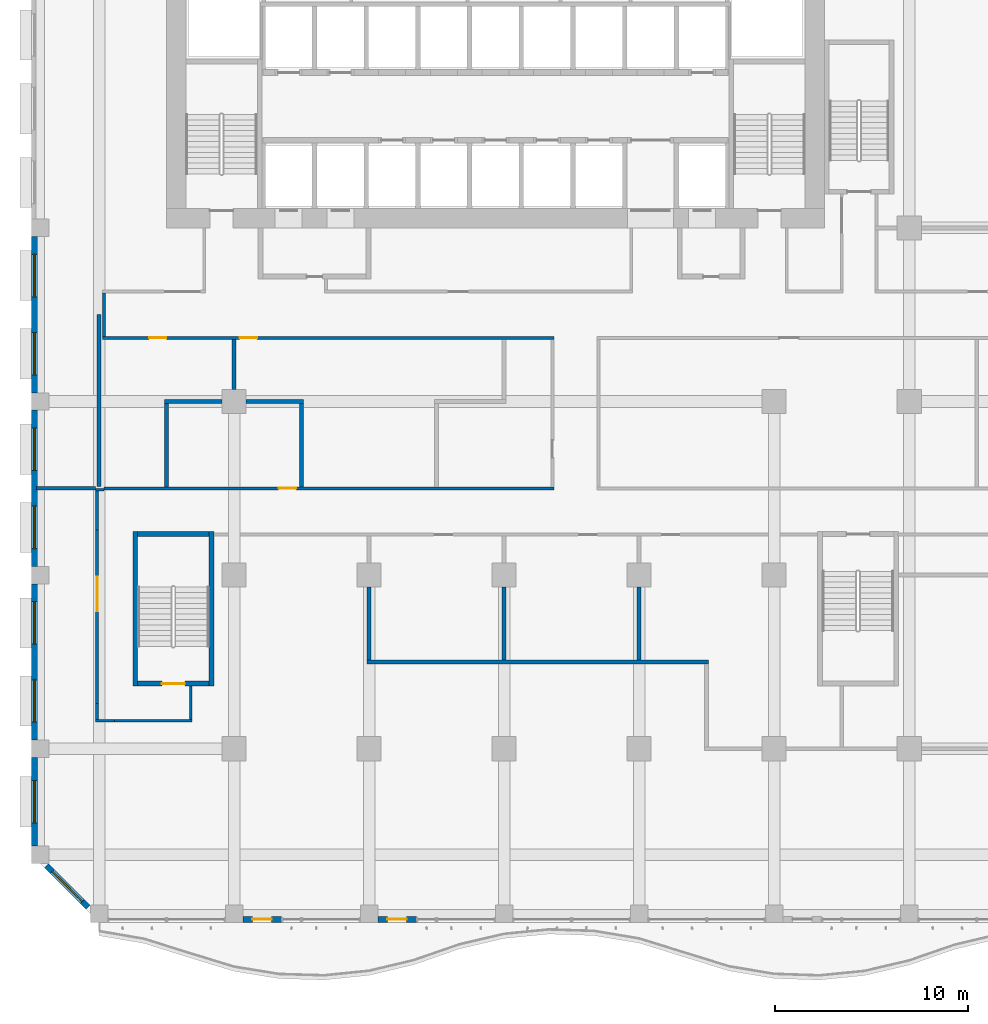
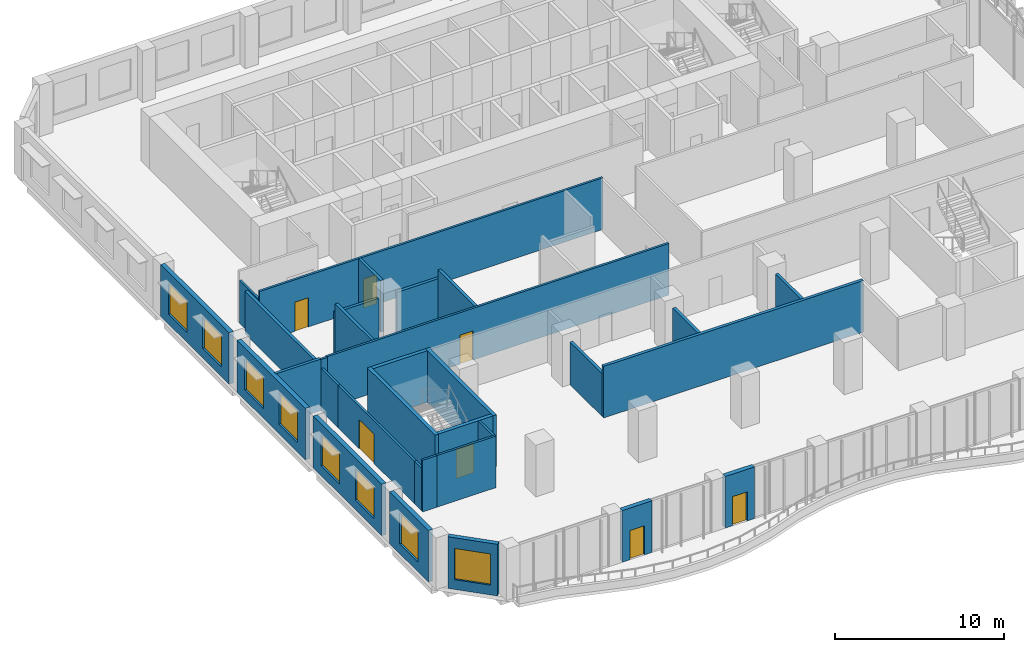
# One storey, part 11 of 27: 32 walls, 8 windows, 7 doors, 15 openings.
"""IFC4 building model written with IfcOpenShell, lengths in metres."""

from ifc_helpers import new_model, si_unit, direction, frame, frame_2d, origin, place, context, subcontext, project, spatial, rectangle, extrude, source, transform, mapped, material, layer, layer_set, type_object, element, fill, save


model = new_model("IFC4")

# Units and contexts
model_context = context("Model", 3, precision=1e-05, world=origin(), true_north=direction((0.0, 1.0)))
body_context = subcontext(model_context, "Body", "Model", "MODEL_VIEW")
ifc_project = project(units=[si_unit("LENGTHUNIT", "METRE"), si_unit("AREAUNIT", "SQUARE_METRE"), si_unit("VOLUMEUNIT", "CUBIC_METRE"), si_unit("PLANEANGLEUNIT", "RADIAN"), si_unit("MASSUNIT", "GRAM", prefix="KILO")], contexts=[model_context])

# Site, building, storey
site_placement = place(None, origin())
site = spatial("IfcSite", under=ifc_project, at=site_placement, CompositionType="ELEMENT")
building_placement = place(site_placement, origin())
building = spatial("IfcBuilding", under=site, at=building_placement, Name="Kilnfold Tower and Market Hall", CompositionType="ELEMENT")
storey_placement = place(building_placement, frame((0.0, 0.0, 71.199951171875)))
storey = spatial("IfcBuildingStorey", under=building, at=storey_placement, Name="L16", CompositionType="ELEMENT", Elevation=71.199951171875)

# Walls
ifc_material_1 = material(Name="Gypsum board on steel studs", Category="steel")
ifc_layer_1 = layer(ifc_material_1, 0.14990234375)
ifc_layer_set_1 = layer_set([ifc_layer_1], Name="Gypsum board on steel studs")
wall_type_1 = type_object("IfcWallType", Name="WALL CORRIDOR 150", PredefinedType="PARTITIONING", material=ifc_layer_set_1)
wall_1_placement = place(storey_placement, frame((-19.25, -5.572998046875, 0.0), z_axis=(0.0, 0.0, 1.0), x_axis=(-1.0, 0.0, 0.0)))
element("IfcWall", 1, at=wall_1_placement, inside=storey, type_object=wall_type_1, Name="Partition LY12.1", PredefinedType="PARTITIONING", context=body_context, shape_type="SweptSolid", body=[
    extrude(rectangle(XDim=0.427001953125, YDim=0.14990234375, at=frame_2d((0.21337890625, 0.0))), origin(), (0.0, 0.0, 1.0), 3.719970703125),
])
wall_2_placement = place(storey_placement, frame((-14.75, -17.47509765625, 0.0), z_axis=(0.0, 0.0, 1.0), x_axis=(0.0, 1.0, 0.0)))
element("IfcWall", 2, at=wall_2_placement, inside=storey, type_object=wall_type_1, Name="Partition LY12.3", PredefinedType="PARTITIONING", context=body_context, shape_type="SweptSolid", body=[
    extrude(rectangle(XDim=1.72509765625, YDim=0.14990234375, at=frame_2d((0.862548828125, 0.0))), origin(), (0.0, 0.0, 1.0), 3.719970703125),
])
wall_3_placement = place(storey_placement, frame((-18.697998046875, -17.550048828125, 0.0), z_axis=(0.0, 0.0, 1.0), x_axis=(1.0, 0.0, 0.0)))
element("IfcWall", 3, at=wall_3_placement, inside=storey, type_object=wall_type_1, Name="Partition LY12.4", PredefinedType="PARTITIONING", context=body_context, shape_type="SweptSolid", body=[
    extrude(rectangle(XDim=4.02294921875, YDim=0.14990234375, at=frame_2d((2.011474609375, 0.0))), origin(), (0.0, 0.0, 1.0), 3.719970703125),
])
wall_4_placement = place(storey_placement, frame((-19.677001953125, -17.552001953125, 0.0), z_axis=(0.0, 0.0, 1.0), x_axis=(1.0, 0.0, 0.0)))
element("IfcWall", 4, at=wall_4_placement, inside=storey, type_object=wall_type_1, Name="Partition LY12.5", PredefinedType="PARTITIONING", context=body_context, shape_type="SweptSolid", body=[
    extrude(rectangle(XDim=0.97900390625, YDim=0.14990234375, at=frame_2d((0.489501953125, 0.0))), origin(), (0.0, 0.0, 1.0), 3.719970703125),
])
wall_5_placement = place(storey_placement, frame((-19.60205078125, -17.47705078125, 0.0), z_axis=(0.0, 0.0, 1.0), x_axis=(0.0, 1.0, 0.0)))
element("IfcWall", 5, at=wall_5_placement, inside=storey, type_object=wall_type_1, Name="Partition LY12.6", PredefinedType="PARTITIONING", context=body_context, shape_type="SweptSolid", body=[
    extrude(rectangle(XDim=0.8291015625, YDim=0.14990234375, at=frame_2d((0.41455078125, 0.0))), origin(), (0.0, 0.0, 1.0), 3.070068359375),
])

# Wall, opening, door
wall_6_placement = place(storey_placement, frame((-19.60009765625, -7.652099609375, 0.0), z_axis=(0.0, 0.0, 1.0), x_axis=(0.0, -1.0, 0.0)))
wall_6 = element("IfcWall", 6, at=wall_6_placement, inside=storey, type_object=wall_type_1, Name="Partition LY12.7", PredefinedType="PARTITIONING", context=body_context, shape_type="SweptSolid", body=[
    extrude(rectangle(XDim=8.995849609375, YDim=0.14990234375, at=frame_2d((4.498046875, 0.0))), origin(), (0.0, 0.0, 1.0), 3.070068359375),
])
opening_1_placement = place(wall_6_placement, frame((2.431884765625, 0.0, 0.0)))
opening_1 = element("IfcOpeningElement", 7, at=opening_1_placement, cuts=wall_6, Name="Opening D5", PredefinedType="OPENING", context=body_context, shape_type="SweptSolid", body=[
    extrude(rectangle(XDim=1.800048828125, YDim=2.10009765625, at=frame_2d((0.89990234375, 1.050048828125))), frame((0.0, 0.0849609375, 0.0), z_axis=(0.0, -1.0, 0.0), x_axis=(1.0, 0.0, 0.0)), (0.0, 0.0, 1.0), 0.169921875),
])
ifc_material_2 = material(Name="Timber veneer door leaf in steel frame", Category="steel")
door_type_1 = type_object("IfcDoorType", Name="DOOR DOUBLE 1800 X2100", OperationType="NOTDEFINED", PredefinedType="DOOR", material=ifc_material_2)
door_1_placement = place(opening_1_placement, origin())
door_1 = element("IfcDoor", 8, at=door_1_placement, inside=storey, type_object=door_type_1, Name="Door D5", OperationType="DOUBLE_DOOR_SINGLE_SWING", OverallHeight=2.10009765625, OverallWidth=1.800048828125, PredefinedType="DOOR", context=body_context, shape_type="SweptSolid", body=[
    extrude(rectangle(XDim=1.800048828125, YDim=2.10009765625, at=frame_2d((0.89990234375, 1.050048828125))), frame((0.0, 0.02490234375, 0.0), z_axis=(0.0, -1.0, 0.0), x_axis=(1.0, 0.0, 0.0)), (0.0, 0.0, 1.0), 0.050048828125),
])
fill(opening_1, door_1)

# Wall
wall_7_placement = place(storey_placement, frame((-19.60205078125, -7.652099609375, 0.0), z_axis=(0.0, 0.0, 1.0), x_axis=(0.0, 1.0, 0.0)))
element("IfcWall", 9, at=wall_7_placement, inside=storey, type_object=wall_type_1, Name="Partition LY12.8", PredefinedType="PARTITIONING", context=body_context, shape_type="SweptSolid", body=[
    extrude(rectangle(XDim=2.004150390625, YDim=0.14990234375, at=frame_2d((1.001953125, 0.0))), origin(), (0.0, 0.0, 1.0), 3.070068359375),
])

# Wall, opening, door
wall_8_placement = place(storey_placement, frame((-19.25, -5.5, 0.0), z_axis=(0.0, 0.0, 1.0), x_axis=(1.0, 0.0, 0.0)))
wall_8 = element("IfcWall", 10, at=wall_8_placement, inside=storey, type_object=wall_type_1, Name="Partition LY12.9", PredefinedType="PARTITIONING", context=body_context, shape_type="SweptSolid", body=[
    extrude(rectangle(XDim=23.324951171875, YDim=0.14990234375, at=frame_2d((11.66259765625, 0.0))), origin(), (0.0, 0.0, 1.0), 3.719970703125),
])
opening_2_placement = place(wall_8_placement, frame((9.06005859375, 0.0, 0.0)))
opening_2 = element("IfcOpeningElement", 11, at=opening_2_placement, cuts=wall_8, Name="Opening D2", PredefinedType="OPENING", context=body_context, shape_type="SweptSolid", body=[
    extrude(rectangle(XDim=0.89990234375, YDim=2.10009765625, at=frame_2d((0.449951171875, 1.050048828125))), frame((0.0, 0.0849609375, 0.0), z_axis=(0.0, -1.0, 0.0), x_axis=(1.0, 0.0, 0.0)), (0.0, 0.0, 1.0), 0.169921875),
])
ifc_material_3 = material(Name="Timber veneer door leaf in steel frame", Category="steel")
door_type_2 = type_object("IfcDoorType", Name="DOOR ROOM 900 X2100", OperationType="NOTDEFINED", PredefinedType="DOOR", material=ifc_material_3)
door_2_placement = place(opening_2_placement, origin())
door_2 = element("IfcDoor", 12, at=door_2_placement, inside=storey, type_object=door_type_2, Name="Door D2", OperationType="SINGLE_SWING_RIGHT", OverallHeight=2.10009765625, OverallWidth=0.89990234375, PredefinedType="DOOR", context=body_context, shape_type="SweptSolid", body=[
    extrude(rectangle(XDim=0.89990234375, YDim=2.10009765625, at=frame_2d((0.449951171875, 1.050048828125))), frame((0.0, 0.02490234375, 0.0), z_axis=(0.0, -1.0, 0.0), x_axis=(1.0, 0.0, 0.0)), (0.0, 0.0, 1.0), 0.050048828125),
])
fill(opening_2, door_2)

# Wall, openings, doors
wall_9_placement = place(storey_placement, frame((-19.324951171875, 2.300048828125, 0.0), z_axis=(0.0, 0.0, 1.0), x_axis=(1.0, 0.0, 0.0)))
wall_9 = element("IfcWall", 13, at=wall_9_placement, inside=storey, type_object=wall_type_1, Name="Partition LY12.10", PredefinedType="PARTITIONING", context=body_context, shape_type="SweptSolid", body=[
    extrude(rectangle(XDim=23.39990234375, YDim=0.14990234375, at=frame_2d((11.699951171875, 0.0))), origin(), (0.0, 0.0, 1.0), 3.719970703125),
])
opening_3_placement = place(wall_9_placement, frame((2.4140625, 0.0, 0.0)))
opening_3 = element("IfcOpeningElement", 14, at=opening_3_placement, cuts=wall_9, Name="Opening D2", PredefinedType="OPENING", context=body_context, shape_type="SweptSolid", body=[
    extrude(rectangle(XDim=0.89990234375, YDim=2.10009765625, at=frame_2d((0.449951171875, 1.050048828125))), frame((0.0, 0.0849609375, 0.0), z_axis=(0.0, -1.0, 0.0), x_axis=(1.0, 0.0, 0.0)), (0.0, 0.0, 1.0), 0.169921875),
])
opening_4_placement = place(wall_9_placement, frame((7.114990234375, 0.0, 0.0)))
opening_4 = element("IfcOpeningElement", 15, at=opening_4_placement, cuts=wall_9, Name="Opening D2", PredefinedType="OPENING", context=body_context, shape_type="SweptSolid", body=[
    extrude(rectangle(XDim=0.89990234375, YDim=2.10009765625, at=frame_2d((0.449951171875, 1.050048828125))), frame((0.0, 0.0849609375, 0.0), z_axis=(0.0, -1.0, 0.0), x_axis=(1.0, 0.0, 0.0)), (0.0, 0.0, 1.0), 0.169921875),
])
door_3_placement = place(opening_3_placement, origin())
door_3 = element("IfcDoor", 16, at=door_3_placement, inside=storey, type_object=door_type_2, Name="Door D2", OperationType="SINGLE_SWING_LEFT", OverallHeight=2.10009765625, OverallWidth=0.89990234375, PredefinedType="DOOR", context=body_context, shape_type="SweptSolid", body=[
    extrude(rectangle(XDim=0.89990234375, YDim=2.10009765625, at=frame_2d((0.449951171875, 1.050048828125))), frame((0.0, 0.02490234375, 0.0), z_axis=(0.0, -1.0, 0.0), x_axis=(1.0, 0.0, 0.0)), (0.0, 0.0, 1.0), 0.050048828125),
])
fill(opening_3, door_3)
door_4_placement = place(opening_4_placement, origin())
door_4 = element("IfcDoor", 17, at=door_4_placement, inside=storey, type_object=door_type_2, Name="Door D2", OperationType="SINGLE_SWING_RIGHT", OverallHeight=2.10009765625, OverallWidth=0.89990234375, PredefinedType="DOOR", context=body_context, shape_type="SweptSolid", body=[
    extrude(rectangle(XDim=0.89990234375, YDim=2.10009765625, at=frame_2d((0.449951171875, 1.050048828125))), frame((0.0, 0.02490234375, 0.0), z_axis=(0.0, -1.0, 0.0), x_axis=(1.0, 0.0, 0.0)), (0.0, 0.0, 1.0), 0.050048828125),
])
fill(opening_4, door_4)

# Walls
wall_10_placement = place(storey_placement, frame((-19.25, 2.375, 0.0), z_axis=(0.0, 0.0, 1.0), x_axis=(0.0, 1.0, 0.0)))
element("IfcWall", 18, at=wall_10_placement, inside=storey, type_object=wall_type_1, Name="Partition LY12.11", PredefinedType="PARTITIONING", context=body_context, shape_type="SweptSolid", body=[
    extrude(rectangle(XDim=2.25, YDim=0.14990234375, at=frame_2d((1.125, 0.0))), origin(), (0.0, 0.0, 1.0), 3.070068359375),
])
ifc_material_4 = material(Name="Gypsum board on steel studs", Category="steel")
ifc_layer_2 = layer(ifc_material_4, 0.199951171875)
ifc_layer_set_2 = layer_set([ifc_layer_2], Name="Gypsum board on steel studs")
wall_type_2 = type_object("IfcWallType", Name="WALL PARTY 200", PredefinedType="PARTITIONING", material=ifc_layer_set_2)
wall_11_placement = place(storey_placement, frame((-19.677001953125, -5.5, 0.0), z_axis=(0.0, 0.0, 1.0), x_axis=(-1.0, 0.0, 0.0)))
element("IfcWall", 19, at=wall_11_placement, inside=storey, type_object=wall_type_2, Name="Partition LY12.30", PredefinedType="PARTITIONING", context=body_context, shape_type="SweptSolid", body=[
    extrude(rectangle(XDim=3.072998046875, YDim=0.199951171875, at=frame_2d((1.53662109375, 0.0))), origin(), (0.0, 0.0, 1.0), 3.719970703125),
])
wall_12_placement = place(storey_placement, frame((-5.5, -14.39990234375, 0.0), z_axis=(0.0, 0.0, 1.0), x_axis=(0.0, 1.0, 0.0)))
element("IfcWall", 20, at=wall_12_placement, inside=storey, type_object=wall_type_2, Name="Partition LY12.32", PredefinedType="PARTITIONING", context=body_context, shape_type="SweptSolid", body=[
    extrude(rectangle(XDim=3.77490234375, YDim=0.199951171875, at=frame_2d((1.887451171875, 0.0))), origin(), (0.0, 0.0, 1.0), 3.070068359375),
])
wall_13_placement = place(storey_placement, frame((-5.60009765625, -14.5, 0.0), z_axis=(0.0, 0.0, 1.0), x_axis=(1.0, 0.0, 0.0)))
element("IfcWall", 21, at=wall_13_placement, inside=storey, type_object=wall_type_2, Name="Partition LY12.33", PredefinedType="PARTITIONING", context=body_context, shape_type="SweptSolid", body=[
    extrude(rectangle(XDim=17.7001953125, YDim=0.199951171875, at=frame_2d((8.85009765625, 0.0))), origin(), (0.0, 0.0, 1.0), 3.719970703125),
])
wall_14_placement = place(storey_placement, frame((-19.5, 3.5, 0.0), z_axis=(0.0, 0.0, 1.0), x_axis=(0.0, -1.0, 0.0)))
element("IfcWall", 22, at=wall_14_placement, inside=storey, type_object=wall_type_2, Name="Partition LY12.38", PredefinedType="PARTITIONING", context=body_context, shape_type="SweptSolid", body=[
    extrude(rectangle(XDim=8.89990234375, YDim=0.199951171875, at=frame_2d((4.449951171875, 0.0))), origin(), (0.0, 0.0, 1.0), 3.070068359375),
])
wall_15_placement = place(storey_placement, frame((-16.10009765625, -1.0, 0.0), z_axis=(0.0, 0.0, 1.0), x_axis=(1.0, 0.0, 0.0)))
element("IfcWall", 23, at=wall_15_placement, inside=storey, type_object=wall_type_2, Name="Partition LY12.39", PredefinedType="PARTITIONING", context=body_context, shape_type="SweptSolid", body=[
    extrude(rectangle(XDim=2.97509765625, YDim=0.199951171875, at=frame_2d((1.487548828125, 0.0))), origin(), (0.0, 0.0, 1.0), 3.070068359375),
])
wall_16_placement = place(storey_placement, frame((-16.0, -5.424072265625, 0.0), z_axis=(0.0, 0.0, 1.0), x_axis=(0.0, 1.0, 0.0)))
element("IfcWall", 24, at=wall_16_placement, inside=storey, type_object=wall_type_2, Name="Partition LY12.40", PredefinedType="PARTITIONING", context=body_context, shape_type="SweptSolid", body=[
    extrude(rectangle(XDim=4.323974609375, YDim=0.199951171875, at=frame_2d((2.162109375, 0.0))), origin(), (0.0, 0.0, 1.0), 3.719970703125),
])
wall_17_placement = place(storey_placement, frame((-12.5, -0.375, 0.0), z_axis=(0.0, 0.0, 1.0), x_axis=(0.0, 1.0, 0.0)))
element("IfcWall", 25, at=wall_17_placement, inside=storey, type_object=wall_type_2, Name="Partition LY12.41", PredefinedType="PARTITIONING", context=body_context, shape_type="SweptSolid", body=[
    extrude(rectangle(XDim=2.59912109375, YDim=0.199951171875, at=frame_2d((1.299560546875, 0.0))), origin(), (0.0, 0.0, 1.0), 3.719970703125),
])
wall_18_placement = place(storey_placement, frame((-9.0, -5.424072265625, 0.0), z_axis=(0.0, 0.0, 1.0), x_axis=(0.0, 1.0, 0.0)))
element("IfcWall", 26, at=wall_18_placement, inside=storey, type_object=wall_type_2, Name="Partition LY12.44", PredefinedType="PARTITIONING", context=body_context, shape_type="SweptSolid", body=[
    extrude(rectangle(XDim=4.323974609375, YDim=0.199951171875, at=frame_2d((2.162109375, 0.0))), origin(), (0.0, 0.0, 1.0), 3.719970703125),
])
wall_19_placement = place(storey_placement, frame((-11.875, -1.0, 0.0), z_axis=(0.0, 0.0, 1.0), x_axis=(1.0, 0.0, 0.0)))
element("IfcWall", 27, at=wall_19_placement, inside=storey, type_object=wall_type_2, Name="Partition LY12.45", PredefinedType="PARTITIONING", context=body_context, shape_type="SweptSolid", body=[
    extrude(rectangle(XDim=2.97509765625, YDim=0.199951171875, at=frame_2d((1.487548828125, 0.0))), origin(), (0.0, 0.0, 1.0), 3.070068359375),
])
for number, where, z_axis, x_axis, name in (
    (28, (1.5, -14.39990234375, 0.0), (0.0, 0.0, 1.0), (0.0, 1.0, 0.0), "Partition LY12.50"),
    (29, (8.5, -14.39990234375, 0.0), (0.0, 0.0, 1.0), (0.0, 1.0, 0.0), "Partition LY12.52"),
):
    element("IfcWall", number, at=place(storey_placement, frame(where, z_axis=z_axis, x_axis=x_axis)), inside=storey, type_object=wall_type_2, Name=name, PredefinedType="PARTITIONING", context=body_context, shape_type="SweptSolid", body=[
        extrude(rectangle(XDim=3.77490234375, YDim=0.199951171875, at=frame_2d((1.887451171875, 0.0))), origin(), (0.0, 0.0, 1.0), 3.070068359375),
    ])

# Wall, opening, door
ifc_material_5 = material(Name="Concrete C80", Category="concrete")
ifc_layer_3 = layer(ifc_material_5, 0.25)
ifc_layer_set_3 = layer_set([ifc_layer_3], Name="Concrete C80")
wall_type_3 = type_object("IfcWallType", Name="CORE WALL 250 C80", PredefinedType="SHEAR", material=ifc_layer_set_3)
shared_shape_1 = source(origin(), body_context, "Body", "SweptSolid", [
    extrude(rectangle(XDim=3.699951171875, YDim=0.25, at=frame_2d((1.85009765625, 0.0))), origin(), (0.0, 0.0, 1.0), 3.719970703125),
])
wall_20_placement = place(storey_placement, frame((-17.5, -15.625, 0.0), z_axis=(0.0, 0.0, 1.0), x_axis=(1.0, 0.0, 0.0)))
wall_20 = element("IfcWall", 30, at=wall_20_placement, inside=storey, type_object=wall_type_3, Name="Stair enclosure ST3", PredefinedType="SHEAR", context=body_context, shape_type="MappedRepresentation", body=[
    mapped(shared_shape_1, transform((0.0, 0.0, 0.0))),
])
opening_5_placement = place(wall_20_placement, frame((1.25, 0.0, 0.0)))
opening_5 = element("IfcOpeningElement", 31, at=opening_5_placement, cuts=wall_20, Name="Opening SD1", PredefinedType="OPENING", context=body_context, shape_type="SweptSolid", body=[
    extrude(rectangle(XDim=1.199951171875, YDim=2.10009765625, at=frame_2d((0.60009765625, 1.050048828125))), frame((0.0, 0.135009765625, 0.0), z_axis=(0.0, -1.0, 0.0), x_axis=(1.0, 0.0, 0.0)), (0.0, 0.0, 1.0), 0.27001953125),
])
ifc_material_6 = material(Name="Steel door set with fire-resisting leaf", Category="steel")
door_type_3 = type_object("IfcDoorType", Name="STAIR FLOOR DOOR 1200X2100", OperationType="NOTDEFINED", PredefinedType="DOOR", material=ifc_material_6)
door_5_placement = place(opening_5_placement, origin())
door_5 = element("IfcDoor", 32, at=door_5_placement, inside=storey, type_object=door_type_3, Name="Exit stair ST3 door", OperationType="DOUBLE_DOOR_SINGLE_SWING", OverallHeight=2.10009765625, OverallWidth=1.199951171875, PredefinedType="DOOR", context=body_context, shape_type="SweptSolid", body=[
    extrude(rectangle(XDim=1.199951171875, YDim=2.10009765625, at=frame_2d((0.60009765625, 1.050048828125))), frame((0.0, 0.02490234375, 0.0), z_axis=(0.0, -1.0, 0.0), x_axis=(1.0, 0.0, 0.0)), (0.0, 0.0, 1.0), 0.050048828125),
])
fill(opening_5, door_5)

# Walls
wall_21_placement = place(storey_placement, frame((-17.5, -7.875, 0.0), z_axis=(0.0, 0.0, 1.0), x_axis=(1.0, 0.0, 0.0)))
element("IfcWall", 33, at=wall_21_placement, inside=storey, type_object=wall_type_3, Name="Stair enclosure ST3", PredefinedType="SHEAR", context=body_context, shape_type="MappedRepresentation", body=[
    mapped(shared_shape_1, transform((0.0, 0.0, 0.0))),
])
shared_shape_2 = source(origin(), body_context, "Body", "SweptSolid", [
    extrude(rectangle(XDim=8.0, YDim=0.25, at=frame_2d((4.0, 0.0))), origin(), (0.0, 0.0, 1.0), 3.719970703125),
])
for number, where, z_axis, x_axis, name in (
    (34, (-17.625, -15.75, 0.0), (0.0, 0.0, 1.0), (0.0, 1.0, 0.0), "Stair enclosure ST3"),
    (35, (-13.675048828125, -15.75, 0.0), (0.0, 0.0, 1.0), (0.0, 1.0, 0.0), "Stair enclosure ST3"),
):
    element("IfcWall", number, at=place(storey_placement, frame(where, z_axis=z_axis, x_axis=x_axis)), inside=storey, type_object=wall_type_3, Name=name, PredefinedType="SHEAR", context=body_context, shape_type="MappedRepresentation", body=[
        mapped(shared_shape_2, transform((0.0, 0.0, 0.0))),
    ])

# Wall, opening, door
ifc_material_7 = material(Name="Precast concrete C50/60", Category="concrete")
ifc_layer_4 = layer(ifc_material_7, 0.300048828125)
ifc_layer_set_4 = layer_set([ifc_layer_4], Name="Precast concrete C50/60")
wall_type_4 = type_object("IfcWallType", Name="PRECAST WALL 300", PredefinedType="SOLIDWALL", material=ifc_layer_set_4)
shared_shape_3 = source(origin(), body_context, "Body", "SweptSolid", [
    extrude(rectangle(XDim=2.0, YDim=0.300048828125, at=frame_2d((1.0, 0.0))), origin(), (0.0, 0.0, 1.0), 3.719970703125),
])
wall_22_placement = place(storey_placement, frame((-12.050048828125, -27.85009765625, 0.0), z_axis=(0.0, 0.0, 1.0), x_axis=(1.0, 0.0, 0.0)))
wall_22 = element("IfcWall", 36, at=wall_22_placement, inside=storey, type_object=wall_type_4, Name="External wall L16 S", PredefinedType="SOLIDWALL", context=body_context, shape_type="MappedRepresentation", body=[
    mapped(shared_shape_3, transform((0.0, 0.0, 0.0))),
])
opening_6_placement = place(wall_22_placement, frame((0.5, 0.0, 0.0)))
opening_6 = element("IfcOpeningElement", 37, at=opening_6_placement, cuts=wall_22, Name="Opening BD1", PredefinedType="OPENING", context=body_context, shape_type="SweptSolid", body=[
    extrude(rectangle(XDim=1.0, YDim=2.10009765625, at=frame_2d((0.5, 1.050048828125))), frame((0.0, 0.16015625, 0.0), z_axis=(0.0, -1.0, 0.0), x_axis=(1.0, 0.0, 0.0)), (0.0, 0.0, 1.0), 0.320068359375),
])
ifc_material_8 = material(Name="Aluminium frame and double glazing", Category="aluminium")
door_type_4 = type_object("IfcDoorType", Name="BALCONY DOOR 1000X2100", OperationType="NOTDEFINED", PredefinedType="DOOR", material=ifc_material_8)
door_6_placement = place(opening_6_placement, origin())
door_6 = element("IfcDoor", 38, at=door_6_placement, inside=storey, type_object=door_type_4, Name="Balcony door BD1 L16 S-1", OperationType="SINGLE_SWING_LEFT", OverallHeight=2.10009765625, OverallWidth=1.0, PredefinedType="DOOR", context=body_context, shape_type="SweptSolid", body=[
    extrude(rectangle(XDim=1.0, YDim=2.10009765625, at=frame_2d((0.5, 1.050048828125))), frame((0.0, 0.02490234375, 0.0), z_axis=(0.0, -1.0, 0.0), x_axis=(1.0, 0.0, 0.0)), (0.0, 0.0, 1.0), 0.050048828125),
])
fill(opening_6, door_6)

wall_23_placement = place(storey_placement, frame((-5.050048828125, -27.85009765625, 0.0), z_axis=(0.0, 0.0, 1.0), x_axis=(1.0, 0.0, 0.0)))
wall_23 = element("IfcWall", 39, at=wall_23_placement, inside=storey, type_object=wall_type_4, Name="External wall L16 S", PredefinedType="SOLIDWALL", context=body_context, shape_type="MappedRepresentation", body=[
    mapped(shared_shape_3, transform((0.0, 0.0, 0.0))),
])
opening_7_placement = place(wall_23_placement, frame((0.5, 0.0, 0.0)))
opening_7 = element("IfcOpeningElement", 40, at=opening_7_placement, cuts=wall_23, Name="Opening BD1", PredefinedType="OPENING", context=body_context, shape_type="SweptSolid", body=[
    extrude(rectangle(XDim=1.0, YDim=2.10009765625, at=frame_2d((0.5, 1.050048828125))), frame((0.0, 0.16015625, 0.0), z_axis=(0.0, -1.0, 0.0), x_axis=(1.0, 0.0, 0.0)), (0.0, 0.0, 1.0), 0.320068359375),
])
door_7_placement = place(opening_7_placement, origin())
door_7 = element("IfcDoor", 41, at=door_7_placement, inside=storey, type_object=door_type_4, Name="Balcony door BD1 L16 S-1", OperationType="SINGLE_SWING_LEFT", OverallHeight=2.10009765625, OverallWidth=1.0, PredefinedType="DOOR", context=body_context, shape_type="SweptSolid", body=[
    extrude(rectangle(XDim=1.0, YDim=2.10009765625, at=frame_2d((0.5, 1.050048828125))), frame((0.0, 0.02490234375, 0.0), z_axis=(0.0, -1.0, 0.0), x_axis=(1.0, 0.0, 0.0)), (0.0, 0.0, 1.0), 0.050048828125),
])
fill(opening_7, door_7)

# Wall, openings, windows
shared_shape_4 = source(origin(), body_context, "Body", "SweptSolid", [
    extrude(rectangle(XDim=8.10009765625, YDim=0.300048828125, at=frame_2d((4.050048828125, 0.0))), origin(), (0.0, 0.0, 1.0), 3.719970703125),
])
wall_24_placement = place(storey_placement, frame((-22.85009765625, 7.550048828125, 0.0), z_axis=(0.0, 0.0, 1.0), x_axis=(0.0, -1.0, 0.0)))
wall_24 = element("IfcWall", 42, at=wall_24_placement, inside=storey, type_object=wall_type_4, Name="External wall L16 W", PredefinedType="SOLIDWALL", context=body_context, shape_type="MappedRepresentation", body=[
    mapped(shared_shape_4, transform((0.0, 0.0, 0.0))),
])
opening_8_placement = place(wall_24_placement, frame((0.925048828125, 0.0, 0.699951171875)))
opening_8 = element("IfcOpeningElement", 43, at=opening_8_placement, cuts=wall_24, Name="Opening W1", PredefinedType="OPENING", context=body_context, shape_type="SweptSolid", body=[
    extrude(rectangle(XDim=2.199951171875, YDim=2.25, at=frame_2d((1.10009765625, 1.125))), frame((0.0, 0.16015625, 0.0), z_axis=(0.0, -1.0, 0.0), x_axis=(1.0, 0.0, 0.0)), (0.0, 0.0, 1.0), 0.320068359375),
])
opening_9_placement = place(wall_24_placement, frame((4.97509765625, 0.0, 0.699951171875)))
opening_9 = element("IfcOpeningElement", 44, at=opening_9_placement, cuts=wall_24, Name="Opening W1", PredefinedType="OPENING", context=body_context, shape_type="SweptSolid", body=[
    extrude(rectangle(XDim=2.199951171875, YDim=2.25, at=frame_2d((1.10009765625, 1.125))), frame((0.0, 0.16015625, 0.0), z_axis=(0.0, -1.0, 0.0), x_axis=(1.0, 0.0, 0.0)), (0.0, 0.0, 1.0), 0.320068359375),
])
ifc_material_9 = material(Name="Aluminium frame and double glazing", Category="aluminium")
window_type = type_object("IfcWindowType", Name="WINDOW W1 2200X2250", PartitioningType="SINGLE_PANEL", PredefinedType="WINDOW", material=ifc_material_9)
window_1_placement = place(opening_8_placement, origin())
window_1 = element("IfcWindow", 45, at=window_1_placement, inside=storey, type_object=window_type, Name="Window W1 L16 W-1", OverallHeight=2.25, OverallWidth=2.199951171875, PartitioningType="SINGLE_PANEL", PredefinedType="WINDOW", context=body_context, shape_type="SweptSolid", body=[
    extrude(rectangle(XDim=2.199951171875, YDim=2.25, at=frame_2d((1.10009765625, 1.125))), frame((0.0, 0.030029296875, 0.0), z_axis=(0.0, -1.0, 0.0), x_axis=(1.0, 0.0, 0.0)), (0.0, 0.0, 1.0), 0.06005859375),
])
fill(opening_8, window_1)
window_2_placement = place(opening_9_placement, origin())
window_2 = element("IfcWindow", 46, at=window_2_placement, inside=storey, type_object=window_type, Name="Window W1 L16 W-2", OverallHeight=2.25, OverallWidth=2.199951171875, PartitioningType="SINGLE_PANEL", PredefinedType="WINDOW", context=body_context, shape_type="SweptSolid", body=[
    extrude(rectangle(XDim=2.199951171875, YDim=2.25, at=frame_2d((1.10009765625, 1.125))), frame((0.0, 0.030029296875, 0.0), z_axis=(0.0, -1.0, 0.0), x_axis=(1.0, 0.0, 0.0)), (0.0, 0.0, 1.0), 0.06005859375),
])
fill(opening_9, window_2)

wall_25_placement = place(storey_placement, frame((-22.85009765625, -1.449951171875, 0.0), z_axis=(0.0, 0.0, 1.0), x_axis=(0.0, -1.0, 0.0)))
wall_25 = element("IfcWall", 47, at=wall_25_placement, inside=storey, type_object=wall_type_4, Name="External wall L16 W", PredefinedType="SOLIDWALL", context=body_context, shape_type="MappedRepresentation", body=[
    mapped(shared_shape_4, transform((0.0, 0.0, 0.0))),
])
opening_10_placement = place(wall_25_placement, frame((0.925048828125, 0.0, 0.699951171875)))
opening_10 = element("IfcOpeningElement", 48, at=opening_10_placement, cuts=wall_25, Name="Opening W1", PredefinedType="OPENING", context=body_context, shape_type="SweptSolid", body=[
    extrude(rectangle(XDim=2.199951171875, YDim=2.25, at=frame_2d((1.10009765625, 1.125))), frame((0.0, 0.16015625, 0.0), z_axis=(0.0, -1.0, 0.0), x_axis=(1.0, 0.0, 0.0)), (0.0, 0.0, 1.0), 0.320068359375),
])
opening_11_placement = place(wall_25_placement, frame((4.97509765625, 0.0, 0.699951171875)))
opening_11 = element("IfcOpeningElement", 49, at=opening_11_placement, cuts=wall_25, Name="Opening W1", PredefinedType="OPENING", context=body_context, shape_type="SweptSolid", body=[
    extrude(rectangle(XDim=2.199951171875, YDim=2.25, at=frame_2d((1.10009765625, 1.125))), frame((0.0, 0.16015625, 0.0), z_axis=(0.0, -1.0, 0.0), x_axis=(1.0, 0.0, 0.0)), (0.0, 0.0, 1.0), 0.320068359375),
])
window_3_placement = place(opening_10_placement, origin())
window_3 = element("IfcWindow", 50, at=window_3_placement, inside=storey, type_object=window_type, Name="Window W1 L16 W-1", OverallHeight=2.25, OverallWidth=2.199951171875, PartitioningType="SINGLE_PANEL", PredefinedType="WINDOW", context=body_context, shape_type="SweptSolid", body=[
    extrude(rectangle(XDim=2.199951171875, YDim=2.25, at=frame_2d((1.10009765625, 1.125))), frame((0.0, 0.030029296875, 0.0), z_axis=(0.0, -1.0, 0.0), x_axis=(1.0, 0.0, 0.0)), (0.0, 0.0, 1.0), 0.06005859375),
])
fill(opening_10, window_3)
window_4_placement = place(opening_11_placement, origin())
window_4 = element("IfcWindow", 51, at=window_4_placement, inside=storey, type_object=window_type, Name="Window W1 L16 W-2", OverallHeight=2.25, OverallWidth=2.199951171875, PartitioningType="SINGLE_PANEL", PredefinedType="WINDOW", context=body_context, shape_type="SweptSolid", body=[
    extrude(rectangle(XDim=2.199951171875, YDim=2.25, at=frame_2d((1.10009765625, 1.125))), frame((0.0, 0.030029296875, 0.0), z_axis=(0.0, -1.0, 0.0), x_axis=(1.0, 0.0, 0.0)), (0.0, 0.0, 1.0), 0.06005859375),
])
fill(opening_11, window_4)

wall_26_placement = place(storey_placement, frame((-22.85009765625, -10.449951171875, 0.0), z_axis=(0.0, 0.0, 1.0), x_axis=(0.0, -1.0, 0.0)))
wall_26 = element("IfcWall", 52, at=wall_26_placement, inside=storey, type_object=wall_type_4, Name="External wall L16 W", PredefinedType="SOLIDWALL", context=body_context, shape_type="MappedRepresentation", body=[
    mapped(shared_shape_4, transform((0.0, 0.0, 0.0))),
])
opening_12_placement = place(wall_26_placement, frame((0.925048828125, 0.0, 0.699951171875)))
opening_12 = element("IfcOpeningElement", 53, at=opening_12_placement, cuts=wall_26, Name="Opening W1", PredefinedType="OPENING", context=body_context, shape_type="SweptSolid", body=[
    extrude(rectangle(XDim=2.199951171875, YDim=2.25, at=frame_2d((1.10009765625, 1.125))), frame((0.0, 0.16015625, 0.0), z_axis=(0.0, -1.0, 0.0), x_axis=(1.0, 0.0, 0.0)), (0.0, 0.0, 1.0), 0.320068359375),
])
opening_13_placement = place(wall_26_placement, frame((4.97509765625, 0.0, 0.699951171875)))
opening_13 = element("IfcOpeningElement", 54, at=opening_13_placement, cuts=wall_26, Name="Opening W1", PredefinedType="OPENING", context=body_context, shape_type="SweptSolid", body=[
    extrude(rectangle(XDim=2.199951171875, YDim=2.25, at=frame_2d((1.10009765625, 1.125))), frame((0.0, 0.16015625, 0.0), z_axis=(0.0, -1.0, 0.0), x_axis=(1.0, 0.0, 0.0)), (0.0, 0.0, 1.0), 0.320068359375),
])
window_5_placement = place(opening_12_placement, origin())
window_5 = element("IfcWindow", 55, at=window_5_placement, inside=storey, type_object=window_type, Name="Window W1 L16 W-1", OverallHeight=2.25, OverallWidth=2.199951171875, PartitioningType="SINGLE_PANEL", PredefinedType="WINDOW", context=body_context, shape_type="SweptSolid", body=[
    extrude(rectangle(XDim=2.199951171875, YDim=2.25, at=frame_2d((1.10009765625, 1.125))), frame((0.0, 0.030029296875, 0.0), z_axis=(0.0, -1.0, 0.0), x_axis=(1.0, 0.0, 0.0)), (0.0, 0.0, 1.0), 0.06005859375),
])
fill(opening_12, window_5)
window_6_placement = place(opening_13_placement, origin())
window_6 = element("IfcWindow", 56, at=window_6_placement, inside=storey, type_object=window_type, Name="Window W1 L16 W-2", OverallHeight=2.25, OverallWidth=2.199951171875, PartitioningType="SINGLE_PANEL", PredefinedType="WINDOW", context=body_context, shape_type="SweptSolid", body=[
    extrude(rectangle(XDim=2.199951171875, YDim=2.25, at=frame_2d((1.10009765625, 1.125))), frame((0.0, 0.030029296875, 0.0), z_axis=(0.0, -1.0, 0.0), x_axis=(1.0, 0.0, 0.0)), (0.0, 0.0, 1.0), 0.06005859375),
])
fill(opening_13, window_6)

# Wall, opening, window
shared_shape_5 = source(origin(), body_context, "Body", "SweptSolid", [
    extrude(rectangle(XDim=4.60009765625, YDim=0.300048828125, at=frame_2d((2.300048828125, 0.0))), origin(), (0.0, 0.0, 1.0), 3.719970703125),
])
wall_27_placement = place(storey_placement, frame((-22.85009765625, -19.449951171875, 0.0), z_axis=(0.0, 0.0, 1.0), x_axis=(0.0, -1.0, 0.0)))
wall_27 = element("IfcWall", 57, at=wall_27_placement, inside=storey, type_object=wall_type_4, Name="External wall L16 W", PredefinedType="SOLIDWALL", context=body_context, shape_type="MappedRepresentation", body=[
    mapped(shared_shape_5, transform((0.0, 0.0, 0.0))),
])
opening_14_placement = place(wall_27_placement, frame((1.199951171875, 0.0, 0.699951171875)))
opening_14 = element("IfcOpeningElement", 58, at=opening_14_placement, cuts=wall_27, Name="Opening W1", PredefinedType="OPENING", context=body_context, shape_type="SweptSolid", body=[
    extrude(rectangle(XDim=2.199951171875, YDim=2.25, at=frame_2d((1.10009765625, 1.125))), frame((0.0, 0.16015625, 0.0), z_axis=(0.0, -1.0, 0.0), x_axis=(1.0, 0.0, 0.0)), (0.0, 0.0, 1.0), 0.320068359375),
])
window_7_placement = place(opening_14_placement, origin())
window_7 = element("IfcWindow", 59, at=window_7_placement, inside=storey, type_object=window_type, Name="Window W1 L16 W-1", OverallHeight=2.25, OverallWidth=2.199951171875, PartitioningType="SINGLE_PANEL", PredefinedType="WINDOW", context=body_context, shape_type="SweptSolid", body=[
    extrude(rectangle(XDim=2.199951171875, YDim=2.25, at=frame_2d((1.10009765625, 1.125))), frame((0.0, 0.030029296875, 0.0), z_axis=(0.0, -1.0, 0.0), x_axis=(1.0, 0.0, 0.0)), (0.0, 0.0, 1.0), 0.06005859375),
])
fill(opening_14, window_7)

shared_shape_6 = source(origin(), body_context, "Body", "SweptSolid", [
    extrude(rectangle(XDim=3.040771484375, YDim=0.300048828125, at=frame_2d((1.5205078125, 0.0))), origin(), (0.0, 0.0, 1.0), 3.719970703125),
])
wall_28_placement = place(storey_placement, frame((-22.218994140625, -25.06884765625, 0.0), z_axis=(0.0, 0.0, 1.0), x_axis=(0.707106781187, -0.707106781187, 0.0)))
wall_28 = element("IfcWall", 60, at=wall_28_placement, inside=storey, type_object=wall_type_4, Name="External wall L16 SW", PredefinedType="SOLIDWALL", context=body_context, shape_type="MappedRepresentation", body=[
    mapped(shared_shape_6, transform((0.0, 0.0, 0.0))),
])
opening_15_placement = place(wall_28_placement, frame((0.42041015625, 0.0, 0.699951171875)))
opening_15 = element("IfcOpeningElement", 61, at=opening_15_placement, cuts=wall_28, Name="Opening W1", PredefinedType="OPENING", context=body_context, shape_type="SweptSolid", body=[
    extrude(rectangle(XDim=2.199951171875, YDim=2.25, at=frame_2d((1.10009765625, 1.125))), frame((0.0, 0.16015625, 0.0), z_axis=(0.0, -1.0, 0.0), x_axis=(1.0, 0.0, 0.0)), (0.0, 0.0, 1.0), 0.320068359375),
])
window_8_placement = place(opening_15_placement, origin())
window_8 = element("IfcWindow", 62, at=window_8_placement, inside=storey, type_object=window_type, Name="Window W1 L16 SW-1", OverallHeight=2.25, OverallWidth=2.199951171875, PartitioningType="SINGLE_PANEL", PredefinedType="WINDOW", context=body_context, shape_type="SweptSolid", body=[
    extrude(rectangle(XDim=2.199951171875, YDim=2.25, at=frame_2d((1.10009765625, 1.125))), frame((0.0, 0.030029296875, 0.0), z_axis=(0.0, -1.0, 0.0), x_axis=(1.0, 0.0, 0.0)), (0.0, 0.0, 1.0), 0.06005859375),
])
fill(opening_15, window_8)

save(model, "model.ifc")
